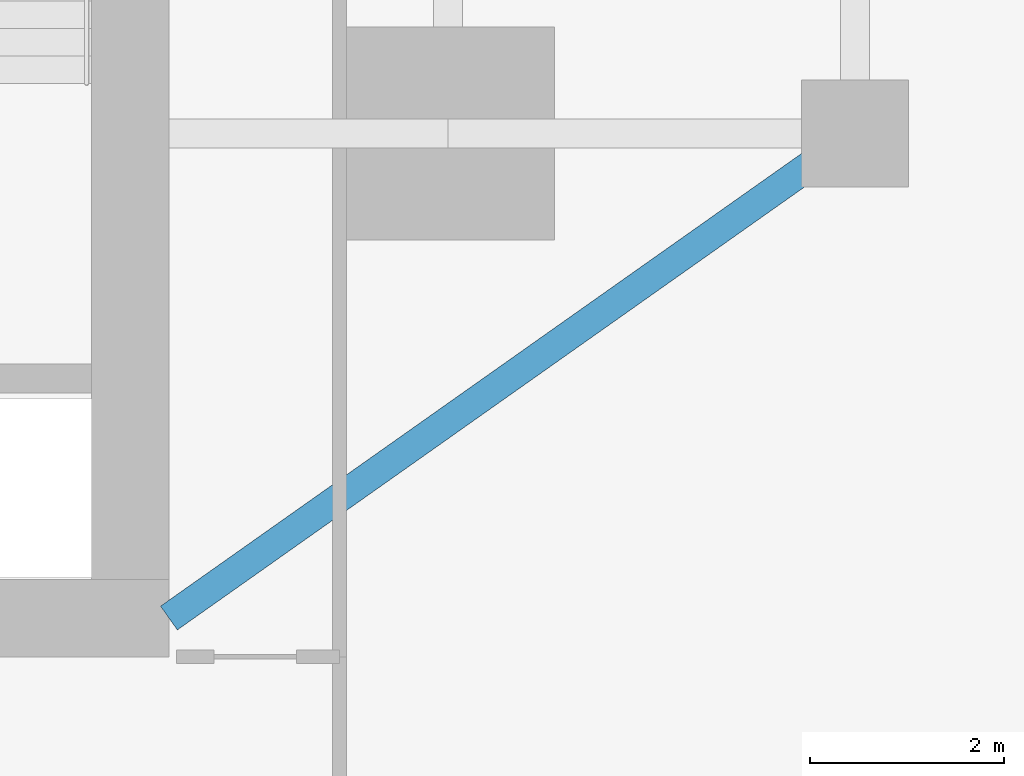
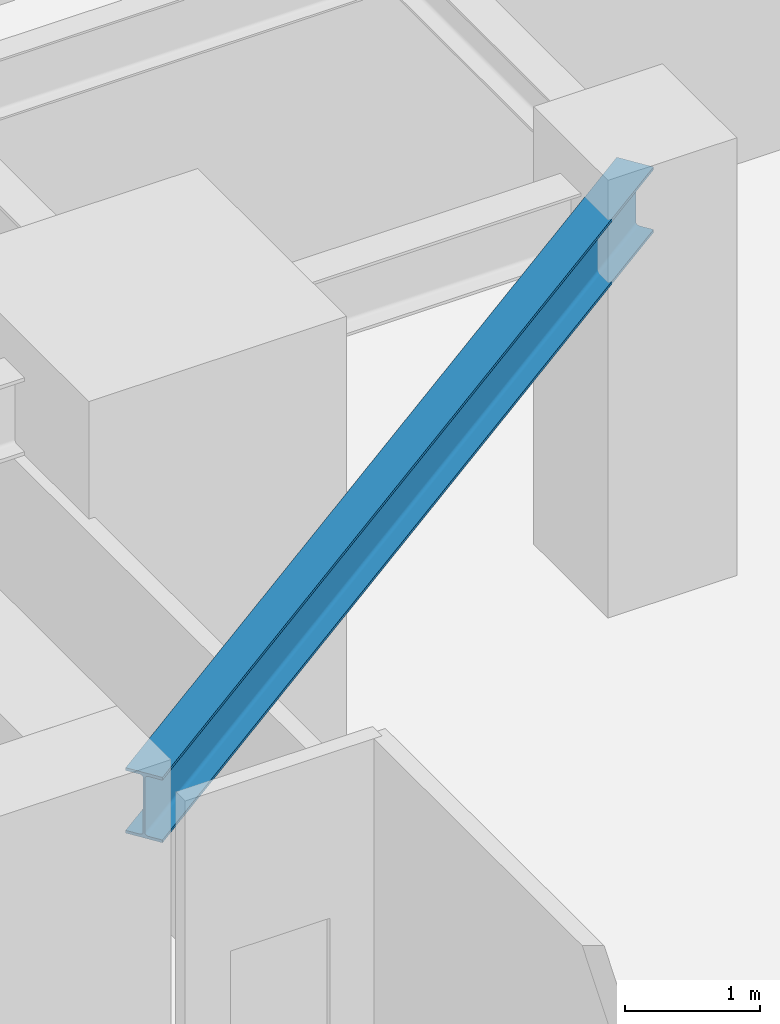
# One storey, part 11 of 29: 1 beam.
"""IFC4 building model written with IfcOpenShell, lengths in metres."""

from ifc_helpers import new_model, si_unit, direction, frame, origin, origin_2d, place, context, subcontext, project, spatial, i_section, extrude, source, transform, mapped, material, material_profile, profile_set, type_object, type_shapes, element, save


model = new_model("IFC4")

# Units and contexts
model_context = context("Model", 3, precision=1e-05, world=origin(), true_north=direction((0.0, 1.0)))
body_context = subcontext(model_context, "Body", "Model", "MODEL_VIEW")
ifc_project = project(units=[si_unit("LENGTHUNIT", "METRE"), si_unit("AREAUNIT", "SQUARE_METRE"), si_unit("VOLUMEUNIT", "CUBIC_METRE"), si_unit("PLANEANGLEUNIT", "RADIAN"), si_unit("MASSUNIT", "GRAM", prefix="KILO")], contexts=[model_context])

# Site, building, storey
site_placement = place(None, origin())
site = spatial("IfcSite", under=ifc_project, at=site_placement, CompositionType="ELEMENT")
building_placement = place(site_placement, origin())
building = spatial("IfcBuilding", under=site, at=building_placement, Name="Krantzveldt Concourse Tower", CompositionType="ELEMENT")
storey_placement = place(building_placement, frame((0.0, 0.0, 76.35009765625)))
storey = spatial("IfcBuildingStorey", under=building, at=storey_placement, Name="L18", CompositionType="ELEMENT", Elevation=76.35009765625)

# Beam
ifc_material = material(Name="Steel S355JR", Category="steel")
ifc_material_profile = material_profile(ifc_material, i_section(OverallWidth=0.300048828125, OverallDepth=0.590087890625, WebThickness=0.012939453125, FlangeThickness=0.02490234375, FilletRadius=0.027099609375, at=origin_2d()), Name="Steel S355JR", Category="steel")
ifc_profile_set = profile_set([ifc_material_profile], Name="Steel S355JR - HEA 600")
beam_type = type_object("IfcBeamType", Name="BM-B-HEA600", PredefinedType="BEAM", material=ifc_profile_set)
shared_shape = source(origin(), body_context, "Body", "SweptSolid", [
    extrude(i_section(OverallWidth=0.300048828125, OverallDepth=0.590087890625, WebThickness=0.012939453125, FlangeThickness=0.02490234375, FilletRadius=0.027099609375, at=origin_2d()), origin(), (0.0, 0.0, 1.0), 8.667724609375),
])
type_shapes(beam_type, [shared_shape])
beam_placement = place(storey_placement, frame((51.0, 15.89990234375, 3.294921875), z_axis=(-0.81684294656, -0.576860122261, 0.0), x_axis=(0.576860122261, -0.81684294656, 0.0)))
element("IfcBeam", 1, at=beam_placement, inside=storey, type_object=beam_type, Name="L18 Tower Girder BR-CSE", PredefinedType="BEAM", context=body_context, shape_type="MappedRepresentation", body=[
    mapped(shared_shape, transform((0.0, 0.0, 0.0), x_axis=(1.0, 0.0, 0.0), y_axis=(0.0, 1.0, 0.0), z_axis=(0.0, 0.0, 1.0), scale=1.0)),
])

save(model, "model.ifc")
